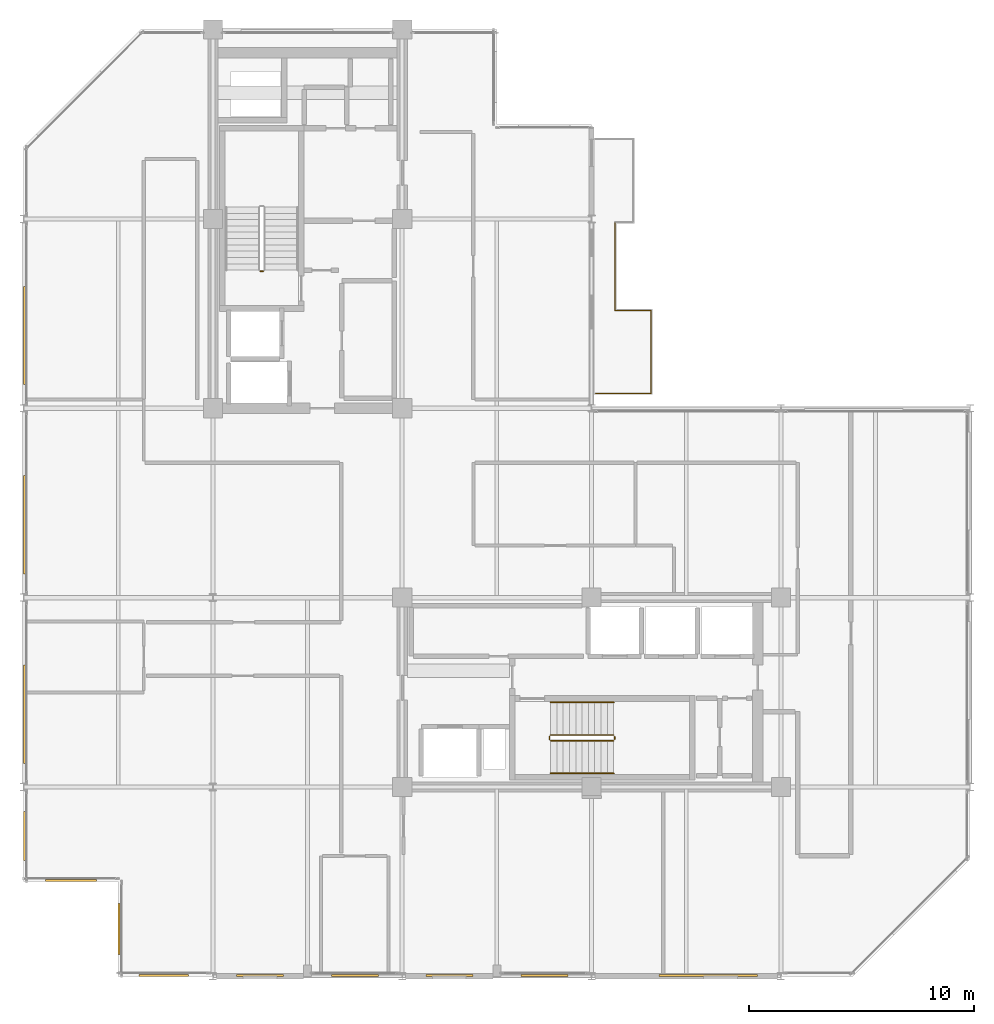
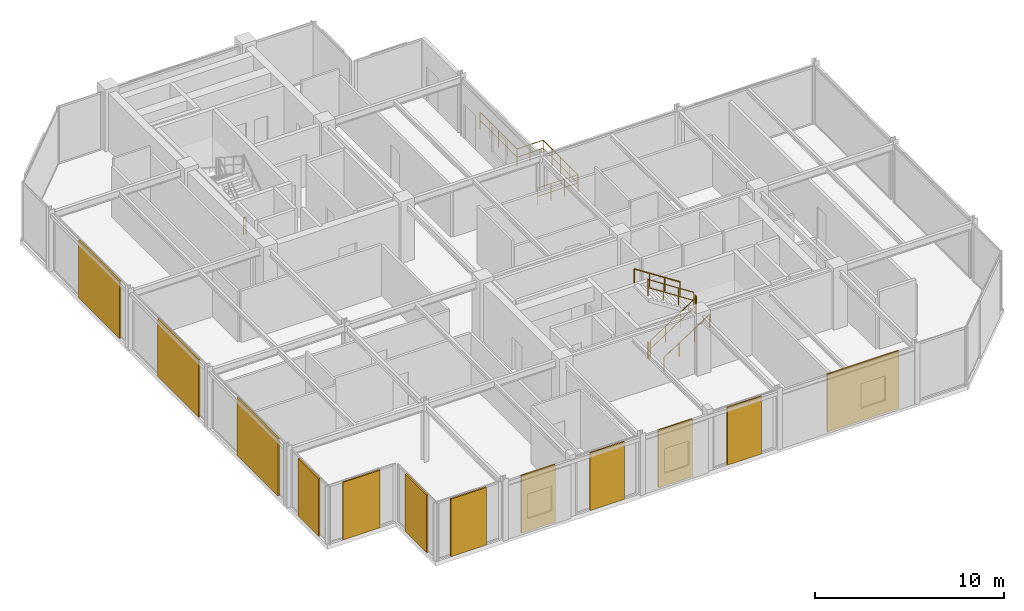
# One storey, part 24 of 26: 12 coverings, 11 railings.
"""IFC4 building model written with IfcOpenShell, lengths in metres."""

from ifc_helpers import new_model, si_unit, direction, frame, origin, origin_2d, place, context, subcontext, project, spatial, rectangle, circle, extrude, material, layer, layer_set, type_object, element, save


model = new_model("IFC4")

# Units and contexts
model_context = context("Model", 3, precision=1e-05, world=origin(), true_north=direction((0.0, 1.0)))
body_context = subcontext(model_context, "Body", "Model", "MODEL_VIEW")
ifc_project = project(units=[si_unit("LENGTHUNIT", "METRE"), si_unit("AREAUNIT", "SQUARE_METRE"), si_unit("VOLUMEUNIT", "CUBIC_METRE"), si_unit("PLANEANGLEUNIT", "RADIAN"), si_unit("MASSUNIT", "GRAM", prefix="KILO")], contexts=[model_context])

# Site, building, storey
site_placement = place(None, origin())
site = spatial("IfcSite", under=ifc_project, at=site_placement, CompositionType="ELEMENT")
building_placement = place(site_placement, origin())
building = spatial("IfcBuilding", under=site, at=building_placement, Name="Nerrivon Quay Data Exchange", CompositionType="ELEMENT")
storey_placement = place(building_placement, frame((0.0, 0.0, 262.199951171875)))
storey = spatial("IfcBuildingStorey", under=building, at=storey_placement, Name="L62", CompositionType="ELEMENT", Elevation=262.199951171875)

# Coverings
ifc_material_1 = material(Name="Architectural terracotta ceramic", Category="masonry")
ifc_layer = layer(ifc_material_1, 0.090087890625)
ifc_layer_set = layer_set([ifc_layer], Name="Architectural terracotta ceramic")
covering_type = type_object("IfcCoveringType", Name="COV-SCR-TERR", PredefinedType="CLADDING", material=ifc_layer_set)
covering_1_placement = place(storey_placement, frame((30.37060546875, 0.044921875, 0.0), z_axis=(0.0, 0.0, 1.0), x_axis=(-1.0, 0.0, 0.0)))
element("IfcCovering", 1, at=covering_1_placement, inside=storey, type_object=covering_type, Name="L62 Perforated Terracotta SOLAR SCREEN Cassette", PredefinedType="CLADDING", context=body_context, shape_type="SweptSolid", body=[
    extrude(rectangle(XDim=4.367919921875, YDim=0.090087890625, at=origin_2d()), origin(), (0.0, 0.0, 1.0), 3.72509765625),
])
for number, where, z_axis, x_axis, name in (
    (2, (23.109619140625, 0.044921875, 0.0), (0.0, 0.0, 1.0), (-1.0, 0.0, 0.0), "L62 Perforated Terracotta SOLAR SCREEN Cassette"),
    (3, (18.890380859375, 0.044921875, 0.0), (0.0, 0.0, 1.0), (-1.0, 0.0, 0.0), "L62 Perforated Terracotta SOLAR SCREEN Cassette"),
    (4, (14.709716796875, 0.044921875, 0.0), (0.0, 0.0, 1.0), (-1.0, 0.0, 0.0), "L62 Perforated Terracotta SOLAR SCREEN Cassette"),
    (5, (10.490234375, 0.044921875, 0.0), (0.0, 0.0, 1.0), (-1.0, 0.0, 0.0), "L62 Perforated Terracotta SOLAR SCREEN Cassette"),
):
    element("IfcCovering", number, at=place(storey_placement, frame(where, z_axis=z_axis, x_axis=x_axis)), inside=storey, type_object=covering_type, Name=name, PredefinedType="CLADDING", context=body_context, shape_type="SweptSolid", body=[
        extrude(rectangle(XDim=2.090087890625, YDim=0.090087890625, at=origin_2d()), origin(), (0.0, 0.0, 1.0), 3.72509765625),
    ])
covering_2_placement = place(storey_placement, frame((6.222412109375, 0.044921875, 0.0), z_axis=(0.0, 0.0, 1.0), x_axis=(-1.0, 0.0, 0.0)))
element("IfcCovering", 6, at=covering_2_placement, inside=storey, type_object=covering_type, Name="L62 Perforated Terracotta SOLAR SCREEN Cassette", PredefinedType="CLADDING", context=body_context, shape_type="SweptSolid", body=[
    extrude(rectangle(XDim=2.18408203125, YDim=0.090087890625, at=origin_2d()), origin(), (0.0, 0.0, 1.0), 3.72509765625),
])
for number, where, z_axis, x_axis, name in (
    (7, (4.2451171875, 2.10009765625, 0.0), (0.0, 0.0, 1.0), (0.0, 1.0, 0.0), "L62 Perforated Terracotta SOLAR SCREEN Cassette"),
    (8, (2.10009765625, 4.2451171875, 0.0), (0.0, 0.0, 1.0), (-1.0, 0.0, 0.0), "L62 Perforated Terracotta SOLAR SCREEN Cassette"),
):
    element("IfcCovering", number, at=place(storey_placement, frame(where, z_axis=z_axis, x_axis=x_axis)), inside=storey, type_object=covering_type, Name=name, PredefinedType="CLADDING", context=body_context, shape_type="SweptSolid", body=[
        extrude(rectangle(XDim=2.26806640625, YDim=0.090087890625, at=origin_2d()), origin(), (0.0, 0.0, 1.0), 3.72509765625),
    ])
covering_3_placement = place(storey_placement, frame((0.044921875, 6.21826171875, 0.0), z_axis=(0.0, 0.0, 1.0), x_axis=(0.0, 1.0, 0.0)))
element("IfcCovering", 9, at=covering_3_placement, inside=storey, type_object=covering_type, Name="L62 Perforated Terracotta SOLAR SCREEN Cassette", PredefinedType="CLADDING", context=body_context, shape_type="SweptSolid", body=[
    extrude(rectangle(XDim=2.179931640625, YDim=0.090087890625, at=origin_2d()), origin(), (0.0, 0.0, 1.0), 3.72509765625),
])
for number, where, z_axis, x_axis, name in (
    (10, (0.044921875, 11.631103515625, 0.0), (0.0, 0.0, 1.0), (0.0, 1.0, 0.0), "L62 Perforated Terracotta SOLAR SCREEN Cassette"),
    (11, (0.044921875, 20.03125, 0.0), (0.0, 0.0, 1.0), (0.0, 1.0, 0.0), "L62 Perforated Terracotta SOLAR SCREEN Cassette"),
    (12, (0.044921875, 28.43115234375, 0.0), (0.0, 0.0, 1.0), (0.0, 1.0, 0.0), "L62 Perforated Terracotta SOLAR SCREEN Cassette"),
):
    element("IfcCovering", number, at=place(storey_placement, frame(where, z_axis=z_axis, x_axis=x_axis)), inside=storey, type_object=covering_type, Name=name, PredefinedType="CLADDING", context=body_context, shape_type="SweptSolid", body=[
        extrude(rectangle(XDim=4.35888671875, YDim=0.090087890625, at=origin_2d()), origin(), (0.0, 0.0, 1.0), 3.72509765625),
    ])

# Railings
ifc_material_2 = material(Name="Steel Grade C350L0 (350 MPa)", Category="steel")
railing_type_1 = type_object("IfcRailingType", Name="RAIL-GUARD-GR2", PredefinedType="BALUSTRADE", material=ifc_material_2)
railing_1_placement = place(storey_placement, frame((26.239990234375, 29.5400390625, 0.0)))
element("IfcRailing", 13, at=railing_1_placement, inside=storey, type_object=railing_type_1, Name="L62 Verandah Balcony Guard 1.1 1", PredefinedType="BALUSTRADE", context=body_context, shape_type="SweptSolid", body=[
    extrude(circle(Radius=0.02392578125, at=origin_2d()), frame((0.0, 0.0, 1.09619140625), z_axis=(1.0, 0.0, 0.0), x_axis=(0.0, 1.0, 0.0)), (0.0, 0.0, 1.0), 1.60009765625),
    extrude(circle(Radius=0.02392578125, at=origin_2d()), frame((0.0, 0.0, 0.56005859375), z_axis=(1.0, 0.0, 0.0), x_axis=(0.0, 1.0, 0.0)), (0.0, 0.0, 1.0), 1.60009765625),
    extrude(circle(Radius=0.02099609375, at=origin_2d()), origin(), (0.0, 0.0, 1.0), 1.072021484375),
    extrude(circle(Radius=0.02099609375, at=origin_2d()), frame((0.800048828125, 0.0, 0.0)), (0.0, 0.0, 1.0), 1.072021484375),
    extrude(circle(Radius=0.02099609375, at=origin_2d()), frame((1.60009765625, 0.0, 0.0)), (0.0, 0.0, 1.0), 1.072021484375),
])
railing_2_placement = place(storey_placement, frame((27.840087890625, 29.5400390625, 0.0)))
element("IfcRailing", 14, at=railing_2_placement, inside=storey, type_object=railing_type_1, Name="L62 Verandah Balcony Guard 1.2 1", PredefinedType="BALUSTRADE", context=body_context, shape_type="SweptSolid", body=[
    extrude(circle(Radius=0.02392578125, at=origin_2d()), frame((0.0, 0.0, 1.09619140625), z_axis=(0.0, -1.0, 0.0), x_axis=(1.0, 0.0, 0.0)), (0.0, 0.0, 1.0), 3.679931640625),
    extrude(circle(Radius=0.02392578125, at=origin_2d()), frame((0.0, 0.0, 0.56005859375), z_axis=(0.0, -1.0, 0.0), x_axis=(1.0, 0.0, 0.0)), (0.0, 0.0, 1.0), 3.679931640625),
    extrude(circle(Radius=0.02099609375, at=origin_2d()), origin(), (0.0, 0.0, 1.0), 1.072021484375),
    extrude(circle(Radius=0.02099609375, at=origin_2d()), frame((0.0, -0.919921875, 0.0)), (0.0, 0.0, 1.0), 1.072021484375),
    extrude(circle(Radius=0.02099609375, at=origin_2d()), frame((0.0, -1.83984375, 0.0)), (0.0, 0.0, 1.0), 1.072021484375),
    extrude(circle(Radius=0.02099609375, at=origin_2d()), frame((0.0, -2.760009765625, 0.0)), (0.0, 0.0, 1.0), 1.072021484375),
    extrude(circle(Radius=0.02099609375, at=origin_2d()), frame((0.0, -3.679931640625, 0.0)), (0.0, 0.0, 1.0), 1.072021484375),
])
railing_3_placement = place(storey_placement, frame((27.840087890625, 25.860107421875, 0.0)))
element("IfcRailing", 15, at=railing_3_placement, inside=storey, type_object=railing_type_1, Name="L62 Verandah Balcony Guard 1.3 1", PredefinedType="BALUSTRADE", context=body_context, shape_type="SweptSolid", body=[
    extrude(circle(Radius=0.02392578125, at=origin_2d()), frame((0.0, 0.0, 1.09619140625), z_axis=(-1.0, 0.0, 0.0), x_axis=(0.0, -1.0, 0.0)), (0.0, 0.0, 1.0), 2.460205078125),
    extrude(circle(Radius=0.02392578125, at=origin_2d()), frame((0.0, 0.0, 0.56005859375), z_axis=(-1.0, 0.0, 0.0), x_axis=(0.0, -1.0, 0.0)), (0.0, 0.0, 1.0), 2.460205078125),
    extrude(circle(Radius=0.02099609375, at=origin_2d()), origin(), (0.0, 0.0, 1.0), 1.072021484375),
    extrude(circle(Radius=0.02099609375, at=origin_2d()), frame((-0.820068359375, 0.0, 0.0)), (0.0, 0.0, 1.0), 1.072021484375),
    extrude(circle(Radius=0.02099609375, at=origin_2d()), frame((-1.64013671875, 0.0, 0.0)), (0.0, 0.0, 1.0), 1.072021484375),
    extrude(circle(Radius=0.02099609375, at=origin_2d()), frame((-2.460205078125, 0.0, 0.0)), (0.0, 0.0, 1.0), 1.072021484375),
])
railing_4_placement = place(storey_placement, frame((26.239990234375, 33.4599609375, 0.0)))
element("IfcRailing", 16, at=railing_4_placement, inside=storey, type_object=railing_type_1, Name="L62 Verandah Balcony Guard 1.7 1", PredefinedType="BALUSTRADE", context=body_context, shape_type="SweptSolid", body=[
    extrude(circle(Radius=0.02392578125, at=origin_2d()), frame((0.0, 0.0, 1.09619140625), z_axis=(0.0, -1.0, 0.0), x_axis=(1.0, 0.0, 0.0)), (0.0, 0.0, 1.0), 3.919921875),
    extrude(circle(Radius=0.02392578125, at=origin_2d()), frame((0.0, 0.0, 0.56005859375), z_axis=(0.0, -1.0, 0.0), x_axis=(1.0, 0.0, 0.0)), (0.0, 0.0, 1.0), 3.919921875),
    extrude(circle(Radius=0.02099609375, at=origin_2d()), origin(), (0.0, 0.0, 1.0), 1.072021484375),
    extrude(circle(Radius=0.02099609375, at=origin_2d()), frame((0.0, -0.97998046875, 0.0)), (0.0, 0.0, 1.0), 1.072021484375),
    extrude(circle(Radius=0.02099609375, at=origin_2d()), frame((0.0, -1.9599609375, 0.0)), (0.0, 0.0, 1.0), 1.072021484375),
    extrude(circle(Radius=0.02099609375, at=origin_2d()), frame((0.0, -2.93994140625, 0.0)), (0.0, 0.0, 1.0), 1.072021484375),
    extrude(circle(Radius=0.02099609375, at=origin_2d()), frame((0.0, -3.919921875, 0.0)), (0.0, 0.0, 1.0), 1.072021484375),
])
railing_type_2 = type_object("IfcRailingType", Name="RAIL-HAND-HR1", PredefinedType="HANDRAIL", material=ifc_material_2)
railing_5_placement = place(storey_placement, frame((23.3798828125, 9.0, 0.181884765625)))
element("IfcRailing", 17, at=railing_5_placement, inside=storey, type_object=railing_type_2, Name="L62 ST02 stair handrail 1", PredefinedType="HANDRAIL", context=body_context, shape_type="SweptSolid", body=[
    extrude(circle(Radius=0.02392578125, at=origin_2d()), frame((0.0, 0.0, 0.8759765625), z_axis=(0.838705829183, 0.0, 0.544584733623), x_axis=(0.0, 1.0, 0.0)), (0.0, 0.0, 1.0), 3.338623046875),
    extrude(circle(Radius=0.02099609375, at=origin_2d()), origin(), (0.0, 0.0, 1.0), 0.851806640625),
    extrude(circle(Radius=0.02099609375, at=origin_2d()), frame((0.933349609375, 0.0, 0.60595703125)), (0.0, 0.0, 1.0), 0.851806640625),
    extrude(circle(Radius=0.02099609375, at=origin_2d()), frame((1.86669921875, 0.0, 1.212158203125)), (0.0, 0.0, 1.0), 0.851806640625),
    extrude(circle(Radius=0.02099609375, at=origin_2d()), frame((2.800048828125, 0.0, 1.818115234375)), (0.0, 0.0, 1.0), 0.851806640625),
])
railing_6_placement = place(storey_placement, frame((26.179931640625, 12.14990234375, 2.181884765625)))
element("IfcRailing", 18, at=railing_6_placement, inside=storey, type_object=railing_type_2, Name="L62 ST02 stair handrail 2", PredefinedType="HANDRAIL", context=body_context, shape_type="SweptSolid", body=[
    extrude(circle(Radius=0.02392578125, at=origin_2d()), frame((0.0, 0.0, 0.8759765625), z_axis=(-0.838705829183, 0.0, 0.544584733623), x_axis=(0.0, -1.0, 0.0)), (0.0, 0.0, 1.0), 3.338623046875),
    extrude(circle(Radius=0.02099609375, at=origin_2d()), origin(), (0.0, 0.0, 1.0), 0.851806640625),
    extrude(circle(Radius=0.02099609375, at=origin_2d()), frame((-0.933349609375, 0.0, 0.60595703125)), (0.0, 0.0, 1.0), 0.851806640625),
    extrude(circle(Radius=0.02099609375, at=origin_2d()), frame((-1.86669921875, 0.0, 1.212158203125)), (0.0, 0.0, 1.0), 0.851806640625),
    extrude(circle(Radius=0.02099609375, at=origin_2d()), frame((-2.800048828125, 0.0, 1.818115234375)), (0.0, 0.0, 1.0), 0.851806640625),
])
railing_type_3 = type_object("IfcRailingType", Name="RAIL-STAIR-GR1", PredefinedType="BALUSTRADE", material=ifc_material_2)
railing_7_placement = place(storey_placement, frame((10.64990234375, 31.280029296875, 0.0)))
element("IfcRailing", 19, at=railing_7_placement, inside=storey, type_object=railing_type_3, Name="L62 ST01 stair guard 4", PredefinedType="BALUSTRADE", context=body_context, shape_type="SweptSolid", body=[
    extrude(circle(Radius=0.02392578125, at=origin_2d()), frame((0.0, 0.0, 1.076171875), z_axis=(-1.0, 0.0, 0.0), x_axis=(0.0, -1.0, 0.0)), (0.0, 0.0, 1.0), 0.14990234375),
    extrude(circle(Radius=0.02392578125, at=origin_2d()), frame((0.0, 0.0, 0.550048828125), z_axis=(-1.0, 0.0, 0.0), x_axis=(0.0, -1.0, 0.0)), (0.0, 0.0, 1.0), 0.14990234375),
    extrude(circle(Radius=0.02099609375, at=origin_2d()), origin(), (0.0, 0.0, 1.0), 1.052001953125),
    extrude(circle(Radius=0.02099609375, at=origin_2d()), frame((-0.14990234375, 0.0, 0.0)), (0.0, 0.0, 1.0), 1.052001953125),
])
railing_8_placement = place(storey_placement, frame((23.3798828125, 10.449951171875, 0.181884765625)))
element("IfcRailing", 20, at=railing_8_placement, inside=storey, type_object=railing_type_3, Name="L62 ST02 stair guard 1", PredefinedType="BALUSTRADE", context=body_context, shape_type="SweptSolid", body=[
    extrude(circle(Radius=0.02392578125, at=origin_2d()), frame((0.0, 0.0, 1.076171875), z_axis=(0.838705829183, 0.0, 0.544584733623), x_axis=(0.0, 1.0, 0.0)), (0.0, 0.0, 1.0), 3.338623046875),
    extrude(circle(Radius=0.02392578125, at=origin_2d()), frame((0.0, 0.0, 0.550048828125), z_axis=(0.838705829183, 0.0, 0.544584733623), x_axis=(0.0, 1.0, 0.0)), (0.0, 0.0, 1.0), 3.338623046875),
    extrude(circle(Radius=0.02099609375, at=origin_2d()), origin(), (0.0, 0.0, 1.0), 1.052001953125),
    extrude(circle(Radius=0.02099609375, at=origin_2d()), frame((0.933349609375, 0.0, 0.60595703125)), (0.0, 0.0, 1.0), 1.052001953125),
    extrude(circle(Radius=0.02099609375, at=origin_2d()), frame((1.86669921875, 0.0, 1.212158203125)), (0.0, 0.0, 1.0), 1.052001953125),
    extrude(circle(Radius=0.02099609375, at=origin_2d()), frame((2.800048828125, 0.0, 1.818115234375)), (0.0, 0.0, 1.0), 1.052001953125),
])
railing_9_placement = place(storey_placement, frame((26.22998046875, 10.5, 2.0)))
element("IfcRailing", 21, at=railing_9_placement, inside=storey, type_object=railing_type_3, Name="L62 ST02 stair guard 2", PredefinedType="BALUSTRADE", context=body_context, shape_type="SweptSolid", body=[
    extrude(circle(Radius=0.02392578125, at=origin_2d()), frame((0.0, 0.0, 1.076171875), z_axis=(0.0, 1.0, 0.0), x_axis=(-1.0, 0.0, 0.0)), (0.0, 0.0, 1.0), 0.14990234375),
    extrude(circle(Radius=0.02392578125, at=origin_2d()), frame((0.0, 0.0, 0.550048828125), z_axis=(0.0, 1.0, 0.0), x_axis=(-1.0, 0.0, 0.0)), (0.0, 0.0, 1.0), 0.14990234375),
    extrude(circle(Radius=0.02099609375, at=origin_2d()), origin(), (0.0, 0.0, 1.0), 1.052001953125),
    extrude(circle(Radius=0.02099609375, at=origin_2d()), frame((0.0, 0.14990234375, 0.0)), (0.0, 0.0, 1.0), 1.052001953125),
])
railing_10_placement = place(storey_placement, frame((26.179931640625, 10.699951171875, 2.181884765625)))
element("IfcRailing", 22, at=railing_10_placement, inside=storey, type_object=railing_type_3, Name="L62 ST02 stair guard 3", PredefinedType="BALUSTRADE", context=body_context, shape_type="SweptSolid", body=[
    extrude(circle(Radius=0.02392578125, at=origin_2d()), frame((0.0, 0.0, 1.076171875), z_axis=(-0.838705829183, 0.0, 0.544584733623), x_axis=(0.0, -1.0, 0.0)), (0.0, 0.0, 1.0), 3.338623046875),
    extrude(circle(Radius=0.02392578125, at=origin_2d()), frame((0.0, 0.0, 0.550048828125), z_axis=(-0.838705829183, 0.0, 0.544584733623), x_axis=(0.0, -1.0, 0.0)), (0.0, 0.0, 1.0), 3.338623046875),
    extrude(circle(Radius=0.02099609375, at=origin_2d()), origin(), (0.0, 0.0, 1.0), 1.052001953125),
    extrude(circle(Radius=0.02099609375, at=origin_2d()), frame((-0.933349609375, 0.0, 0.60595703125)), (0.0, 0.0, 1.0), 1.052001953125),
    extrude(circle(Radius=0.02099609375, at=origin_2d()), frame((-1.86669921875, 0.0, 1.212158203125)), (0.0, 0.0, 1.0), 1.052001953125),
    extrude(circle(Radius=0.02099609375, at=origin_2d()), frame((-2.800048828125, 0.0, 1.818115234375)), (0.0, 0.0, 1.0), 1.052001953125),
])
railing_11_placement = place(storey_placement, frame((23.330078125, 10.5, 0.0)))
element("IfcRailing", 23, at=railing_11_placement, inside=storey, type_object=railing_type_3, Name="L62 ST02 stair guard 4", PredefinedType="BALUSTRADE", context=body_context, shape_type="SweptSolid", body=[
    extrude(circle(Radius=0.02392578125, at=origin_2d()), frame((0.0, 0.0, 1.076171875), z_axis=(0.0, 1.0, 0.0), x_axis=(-1.0, 0.0, 0.0)), (0.0, 0.0, 1.0), 0.14990234375),
    extrude(circle(Radius=0.02392578125, at=origin_2d()), frame((0.0, 0.0, 0.550048828125), z_axis=(0.0, 1.0, 0.0), x_axis=(-1.0, 0.0, 0.0)), (0.0, 0.0, 1.0), 0.14990234375),
    extrude(circle(Radius=0.02099609375, at=origin_2d()), origin(), (0.0, 0.0, 1.0), 1.052001953125),
    extrude(circle(Radius=0.02099609375, at=origin_2d()), frame((0.0, 0.14990234375, 0.0)), (0.0, 0.0, 1.0), 1.052001953125),
])

save(model, "model.ifc")
